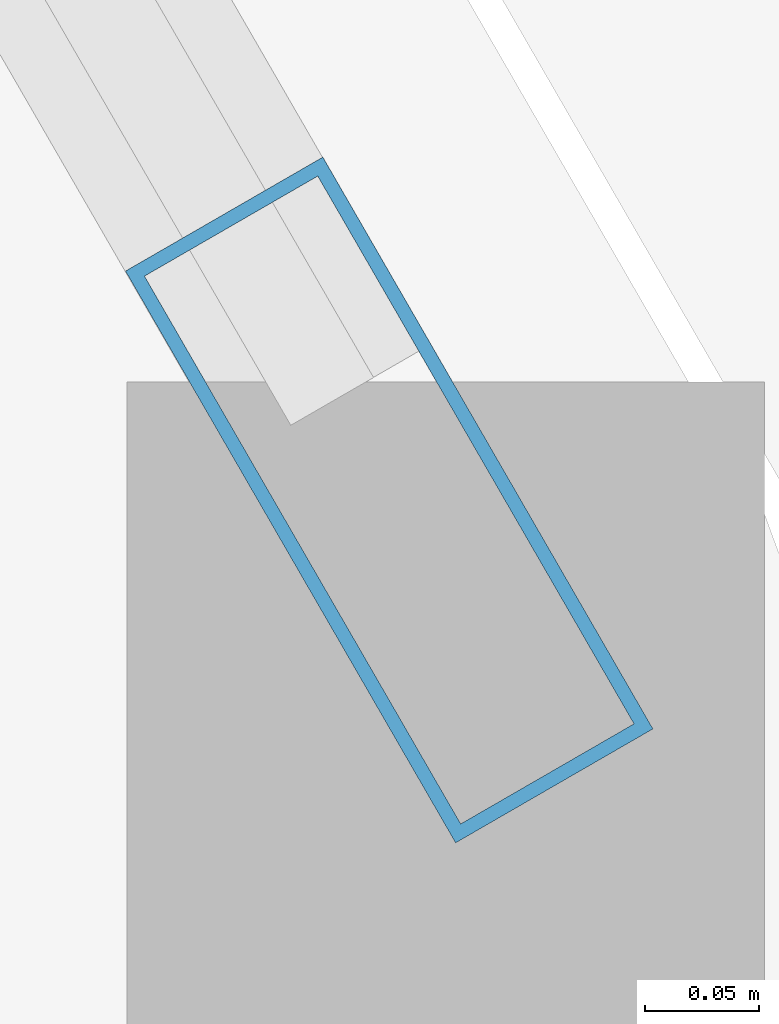
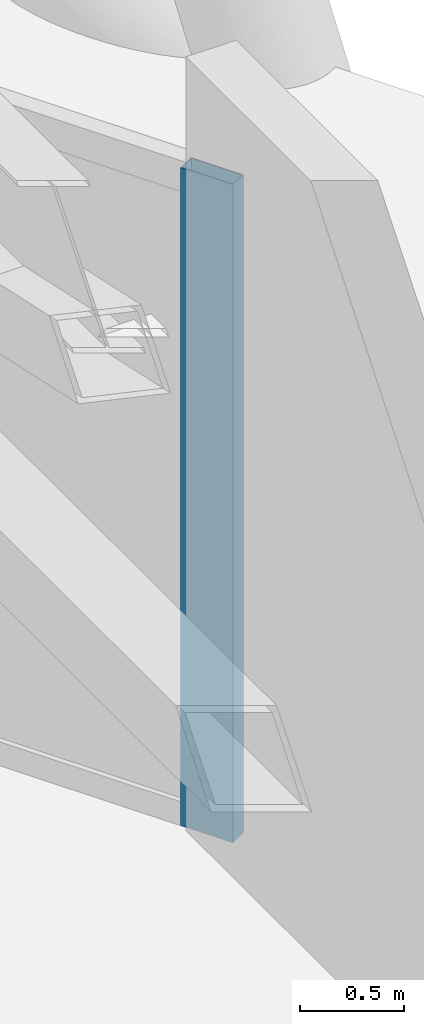
# One storey, part 6 of 20: 1 member, 1 element without a shape of its own.
"""IFC4 building model written with IfcOpenShell, lengths in metres."""

from ifc_helpers import new_model, si_unit, direction, frame, origin, origin_2d, place, context, subcontext, project, spatial, hollow_rectangle, extrude, material, material_profile, profile_set, type_object, element, aggregate, save


model = new_model("IFC4")

# Units and contexts
model_context = context("Model", 3, precision=1e-05, world=origin(), true_north=direction((0.0, 1.0)))
body_context = subcontext(model_context, "Body", "Model", "MODEL_VIEW")
ifc_project = project(units=[si_unit("LENGTHUNIT", "METRE"), si_unit("AREAUNIT", "SQUARE_METRE"), si_unit("VOLUMEUNIT", "CUBIC_METRE"), si_unit("PLANEANGLEUNIT", "RADIAN"), si_unit("MASSUNIT", "GRAM", prefix="KILO")], contexts=[model_context])

# Site, building, storey
site_placement = place(None, origin())
site = spatial("IfcSite", under=ifc_project, at=site_placement, CompositionType="ELEMENT")
building_placement = place(site_placement, origin())
building = spatial("IfcBuilding", under=site, at=building_placement, Name="Zuhravey Tower", CompositionType="ELEMENT")
storey_placement = place(building_placement, frame((0.0, 0.0, 145.60009765625)))
storey = spatial("IfcBuildingStorey", under=building, at=storey_placement, Name="L36", CompositionType="ELEMENT", Elevation=145.60009765625)

# Curtain wall, member
ifc_material_1 = material(Name="Thermally broken anodised aluminium", Category="aluminium")
curtain_wall_type = type_object("IfcCurtainWallType", Name="Sky-Garden Tray Clerestory Curtain Wall CW5", PredefinedType="NOTDEFINED", material=ifc_material_1)
curtain_wall_placement = place(storey_placement, origin())
curtain_wall = element("IfcCurtainWall", 1, at=curtain_wall_placement, inside=storey, type_object=curtain_wall_type, Name="L36 CW5 CW-L36-F1-2", PredefinedType="NOTDEFINED")
ifc_material_2 = material(Name="Anodised aluminium", Category="aluminium")
ifc_material_profile = material_profile(ifc_material_2, hollow_rectangle(XDim=0.10009765625, YDim=0.2900390625, WallThickness=0.006103515625, at=origin_2d()), Name="ALU-RHS-100x290x6")
ifc_profile_set = profile_set([ifc_material_profile], Name="Anodised aluminium")
member_type = type_object("IfcMemberType", Name="Heavy Tall-Storey Mullion 100x220", PredefinedType="MULLION", material=ifc_profile_set)
member_placement = place(storey_placement, frame((63.30029296875, 33.380859375, 0.0), z_axis=(0.0, 0.0, 1.0), x_axis=(0.866023119942, 0.50000395571, 0.0)))
member = element("IfcMember", 2, at=member_placement, type_object=member_type, Name="CW5 mullion 2", PredefinedType="MULLION", context=body_context, shape_type="SweptSolid", body=[
    extrude(hollow_rectangle(XDim=0.10009765625, YDim=0.2900390625, WallThickness=0.006103515625, at=origin_2d()), origin(), (0.0, 0.0, 1.0), 3.869873046875),
])
aggregate(curtain_wall, [member])

save(model, "model.ifc")
